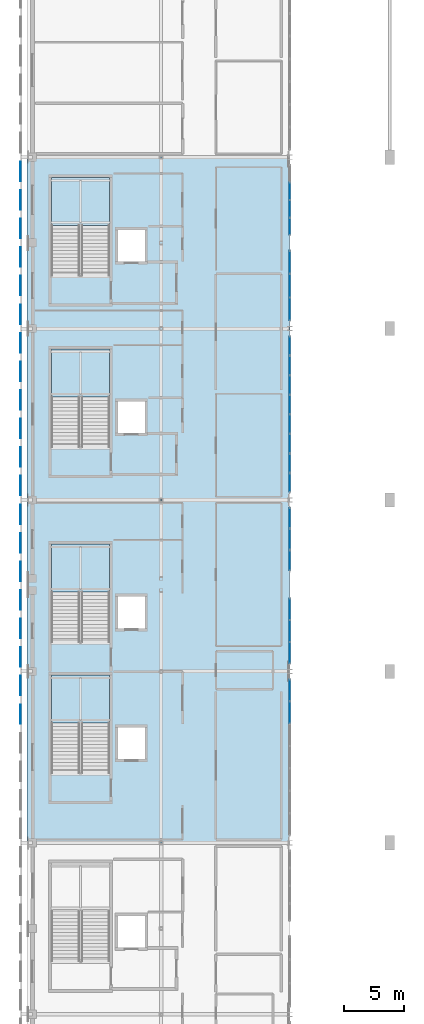
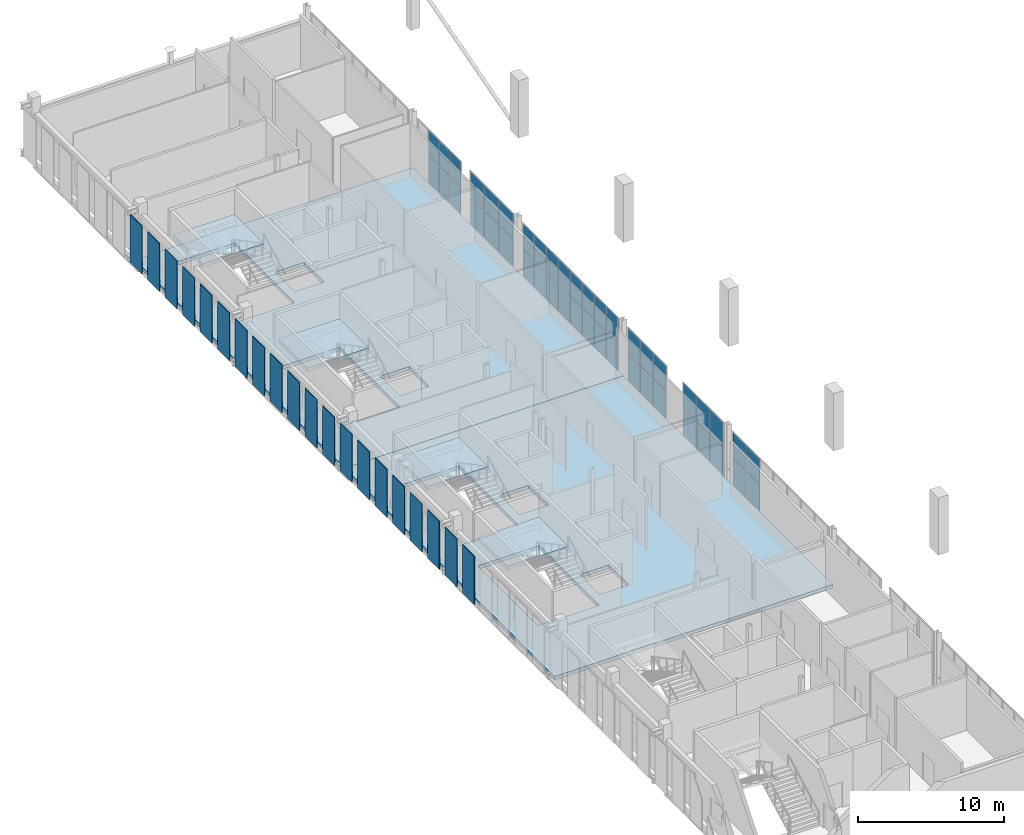
# One storey, part 26 of 51: 64 plates, 6 slabs, 10 elements without a shape of their own.
"""IFC4 building model written with IfcOpenShell, lengths in metres."""

import ifcopenshell
import ifcopenshell.guid

model = None  # the IFC model being written
_history = None  # IfcOwnerHistory: only IFC2X3 demands one
_inside = {}  # id of a spatial element -> (the spatial element, [elements in it])
_under = {}  # id of a project, library or spatial element -> (it, [spatial elements below it])
_declared = {}  # id of a project -> (the project, [libraries it declares])
_typed = {}  # id of a type object -> (the type object, [elements of that type])
_made_of = {}  # id of a material, layer set ... -> (it, [elements and type objects made of it])


def new_model(schema):
    """Start an empty IFC model of exactly this schema.

    Asked for "IFC4X3", IfcOpenShell would pick the latest addendum, in which some entities
    have other attributes; the version numbers below select the first issue.
    IFC2X3 requires an IfcOwnerHistory on every rooted entity: one is made here for all.
    """
    global model, _history
    if schema == "IFC4X3":
        model = ifcopenshell.file(schema_version=(4, 3, 0, 0))
    else:
        model = ifcopenshell.file(schema=schema)
    _inside.clear()
    _under.clear()
    _declared.clear()
    _typed.clear()
    _made_of.clear()
    _history = None
    if model.schema == "IFC2X3":
        org = make("IfcOrganization", Name="unknown")
        user = make(
            "IfcPersonAndOrganization",
            ThePerson=make("IfcPerson", FamilyName="unknown"),
            TheOrganization=org,
        )
        app = make(
            "IfcApplication",
            ApplicationDeveloper=org,
            Version="unknown",
            ApplicationFullName="unknown",
            ApplicationIdentifier="unknown",
        )
        _history = make(
            "IfcOwnerHistory",
            OwningUser=user,
            OwningApplication=app,
            ChangeAction="ADDED",
            CreationDate=0,
        )
    return model


def make(cls, **values):
    """One entity of the class cls with the attributes given. An attribute that is None is left unset."""
    return model.create_entity(
        cls, **{name: value for name, value in values.items() if value is not None}
    )


def rooted(cls, **values):
    """An entity with a GlobalId (a new one), such as an element, a storey or a relation."""
    return make(cls, GlobalId=ifcopenshell.guid.new(), OwnerHistory=_history, **values)


def si_unit(unit_type, name, prefix=None):
    """IfcSIUnit, for example si_unit("LENGTHUNIT", "METRE", prefix="MILLI")."""
    return make("IfcSIUnit", UnitType=unit_type, Prefix=prefix, Name=name)


def assignment(units):
    """IfcUnitAssignment: the units of a project."""
    return None if units is None else make("IfcUnitAssignment", Units=units)


def point(xyz):
    """IfcCartesianPoint."""
    return None if xyz is None else make("IfcCartesianPoint", Coordinates=xyz)


def direction(xyz):
    """IfcDirection."""
    return None if xyz is None else make("IfcDirection", DirectionRatios=xyz)


def frame(location, z_axis=None, x_axis=None):
    """IfcAxis2Placement3D, a coordinate frame: its origin and axes. An axis left out is left unset."""
    return make(
        "IfcAxis2Placement3D",
        Location=point(location),
        Axis=direction(z_axis),
        RefDirection=direction(x_axis),
    )


def frame_2d(location, x_axis=None):
    """IfcAxis2Placement2D, a coordinate frame in the plane: its origin and x axis."""
    return make(
        "IfcAxis2Placement2D", Location=point(location), RefDirection=direction(x_axis)
    )


def origin():
    """The frame at (0, 0, 0) with its axes left unset."""
    return frame((0.0, 0.0, 0.0))


def origin_2d():
    """The frame at (0, 0) in the plane with its x axis left unset."""
    return frame_2d((0.0, 0.0))


def place(relative_to, where):
    """IfcLocalPlacement: puts the frame where relative to a parent placement (None: the world)."""
    return make(
        "IfcLocalPlacement", PlacementRelTo=relative_to, RelativePlacement=where
    )


def context(
    kind, dimensions, precision=None, world=None, true_north=None, identifier=None
):
    """IfcGeometricRepresentationContext, for example the 3D "Model" context."""
    return make(
        "IfcGeometricRepresentationContext",
        ContextIdentifier=identifier,
        ContextType=kind,
        CoordinateSpaceDimension=dimensions,
        Precision=precision,
        WorldCoordinateSystem=world,
        TrueNorth=true_north,
    )


def subcontext(parent, identifier, kind, view, scale=None):
    """IfcGeometricRepresentationSubContext, for example "Body" below "Model"."""
    return make(
        "IfcGeometricRepresentationSubContext",
        ContextIdentifier=identifier,
        ContextType=kind,
        ParentContext=parent,
        TargetScale=scale,
        TargetView=view,
    )


def project(units=None, contexts=None):
    """IfcProject with its units and contexts."""
    return rooted(
        "IfcProject",
        Name="project",
        RepresentationContexts=contexts,
        UnitsInContext=assignment(units),
    )


def spatial(cls, under=None, at=None, **own):
    """A site, building, storey or space (cls), placed at a placement, below another one or the project."""
    s = rooted(cls, ObjectPlacement=at, **own)
    if under is not None:
        _under.setdefault(under.id(), (under, []))[1].append(s)
    return s


def polyline(points):
    """IfcPolyline through the points."""
    return make("IfcPolyline", Points=[point(p) for p in points])


def profile(cls, at=None, kind="AREA", **sizes):
    """A parametric profile (cls). Its sizes go by their IFC names, for example OverallWidth=200.0."""
    return make(cls, ProfileType=kind, Position=at, **sizes)


def rectangle(**sizes):
    """IfcRectangleProfileDef."""
    return profile("IfcRectangleProfileDef", **sizes)


def outline(outer, holes=None, kind="AREA"):
    """IfcArbitraryClosedProfileDef: a profile drawn as a closed curve; with holes, ...WithVoids."""
    if holes is None:
        return make("IfcArbitraryClosedProfileDef", ProfileType=kind, OuterCurve=outer)
    return make(
        "IfcArbitraryProfileDefWithVoids",
        ProfileType=kind,
        OuterCurve=outer,
        InnerCurves=holes,
    )


def extrude(swept, where, along, depth):
    """IfcExtrudedAreaSolid: the profile swept, set in the frame where, extruded along a direction by depth."""
    return make(
        "IfcExtrudedAreaSolid",
        SweptArea=swept,
        Position=where,
        ExtrudedDirection=direction(along),
        Depth=depth,
    )


def shape(context_of_items, identifier, shape_type, items):
    """IfcShapeRepresentation: the items that make up one representation, for example the "Body"."""
    return make(
        "IfcShapeRepresentation",
        ContextOfItems=context_of_items,
        RepresentationIdentifier=identifier,
        RepresentationType=shape_type,
        Items=items,
    )


def material(Name=None, Category=None):
    """IfcMaterial."""
    return make("IfcMaterial", Name=Name, Category=Category)


def layer(
    of_material, thickness, ventilated=None, Name=None, Category=None, Priority=None
):
    """IfcMaterialLayer: one layer of a wall or slab, of a material (None: an air gap)."""
    return make(
        "IfcMaterialLayer",
        Material=of_material,
        LayerThickness=thickness,
        IsVentilated=ventilated,
        Name=Name,
        Category=Category,
        Priority=Priority,
    )


def layer_set(layers, Name=None):
    """IfcMaterialLayerSet."""
    return make("IfcMaterialLayerSet", MaterialLayers=layers, LayerSetName=Name)


def made_of(thing, what):
    """Note that an element or type object is made of a material, layer set ...; save() writes the relation."""
    if what is not None:
        _made_of.setdefault(what.id(), (what, []))[1].append(thing)
    return thing


def type_object(cls, material=None, **own):
    """A type object (cls), such as IfcWallType, which elements share."""
    return made_of(rooted(cls, **own), material)


def element(
    cls,
    number,
    at=None,
    inside=None,
    cuts=None,
    type_object=None,
    material=None,
    context=None,
    identifier="Body",
    shape_type=None,
    held_by="IfcProductDefinitionShape",
    body=None,
    shapes=None,
    **own,
):
    """One element of the class cls, such as IfcWall. Its Tag is "e" and its number.

    at: its placement. inside: the storey or other place that contains it. cuts: it is an
    opening in that element (IfcRelVoidsElement). A single representation is given by context,
    identifier, shape_type and body (its items); several are given by shapes. held_by: the class
    of the entity that holds the representations. save() writes the other relations.
    """
    e = rooted(cls, Tag="e%d" % number, ObjectPlacement=at, **own)
    if body is not None:
        shapes = [shape(context, identifier, shape_type, body)]
    if shapes is not None:
        e.Representation = make(held_by, Representations=shapes)
    if inside is not None:
        _inside.setdefault(inside.id(), (inside, []))[1].append(e)
    if cuts is not None:
        rooted(
            "IfcRelVoidsElement", RelatingBuildingElement=cuts, RelatedOpeningElement=e
        )
    if type_object is not None:
        _typed.setdefault(type_object.id(), (type_object, []))[1].append(e)
    return made_of(e, material)


def aggregate(whole, parts):
    """IfcRelAggregates: a whole, such as a stair, and the parts it consists of."""
    return rooted("IfcRelAggregates", RelatingObject=whole, RelatedObjects=parts)


def save(model, path):
    """Write the relations noted so far, then the file.

    IfcRelAggregates (storeys below a building ...), IfcRelContainedInSpatialStructure (elements
    in a storey), IfcRelDefinesByType, IfcRelAssociatesMaterial and IfcRelDeclares: one each for
    every whole, place, type object, material and project.
    """
    for whole, parts in _under.values():
        aggregate(whole, parts)
    for where, things in _inside.values():
        rooted(
            "IfcRelContainedInSpatialStructure",
            RelatedElements=things,
            RelatingStructure=where,
        )
    for kind, things in _typed.values():
        rooted("IfcRelDefinesByType", RelatedObjects=things, RelatingType=kind)
    for what, things in _made_of.values():
        rooted("IfcRelAssociatesMaterial", RelatedObjects=things, RelatingMaterial=what)
    for by, libraries in _declared.values():
        rooted("IfcRelDeclares", RelatingContext=by, RelatedDefinitions=libraries)
    model.write(path)


model = new_model("IFC4")

# Units and contexts
model_context = context("Model", 3, precision=1e-05, world=origin(), true_north=direction((0.0, 1.0)))
body_context = subcontext(model_context, "Body", "Model", "MODEL_VIEW")
ifc_project = project(units=[si_unit("LENGTHUNIT", "METRE"), si_unit("AREAUNIT", "SQUARE_METRE"), si_unit("VOLUMEUNIT", "CUBIC_METRE"), si_unit("PLANEANGLEUNIT", "RADIAN"), si_unit("MASSUNIT", "GRAM", prefix="KILO")], contexts=[model_context])

# Site, building, storey
site_placement = place(None, origin())
site = spatial("IfcSite", under=ifc_project, at=site_placement, CompositionType="ELEMENT")
building_placement = place(site_placement, origin())
building = spatial("IfcBuilding", under=site, at=building_placement, Name="Koshinbarg Plaza Stadium", CompositionType="ELEMENT")
storey_placement = place(building_placement, frame((0.0, 0.0, 24.60009765625)))
storey = spatial("IfcBuildingStorey", under=building, at=storey_placement, Name="L05", CompositionType="ELEMENT", Elevation=24.60009765625)

# Curtain wall, plates
ifc_material_1 = material(Name="Thermally broken anodised aluminium and low-E double glazing", Category="aluminium")
curtain_wall_type_1 = type_object("IfcCurtainWallType", Name="CW-SYS-05", PredefinedType="NOTDEFINED", material=ifc_material_1)
curtain_wall_1_placement = place(storey_placement, origin())
curtain_wall_1 = element("IfcCurtainWall", 1, at=curtain_wall_1_placement, inside=storey, type_object=curtain_wall_type_1, Name="L05 unitised curtain wall CW-L05-132", PredefinedType="NOTDEFINED")
ifc_material_2 = material(Name="Solar-control low-E double glazing unit", Category="glass")
ifc_layer_1 = layer(ifc_material_2, 0.028076171875)
ifc_layer_set_1 = layer_set([ifc_layer_1], Name="Solar-control low-E double glazing unit")
plate_type_1 = type_object("IfcPlateType", Name="CW-PNL-28", PredefinedType="CURTAIN_PANEL", material=ifc_layer_set_1)
plate_1_placement = place(storey_placement, frame((46.199951171875, 109.044921875, 0.06005859375), z_axis=(0.0, 0.0, 1.0), x_axis=(0.0, -1.0, 0.0)))
plate_1 = element("IfcPlate", 2, at=plate_1_placement, type_object=plate_type_1, Name="CW05 panel 2.1", PredefinedType="CURTAIN_PANEL", context=body_context, shape_type="SweptSolid", body=[
    extrude(rectangle(XDim=1.429931640625, YDim=0.028076171875, at=origin_2d()), origin(), (0.0, 0.0, 1.0), 2.239501953125),
])
plate_2_placement = place(storey_placement, frame((46.199951171875, 109.044921875, 2.359375), z_axis=(0.0, 0.0, 1.0), x_axis=(0.0, -1.0, 0.0)))
plate_2 = element("IfcPlate", 3, at=plate_2_placement, type_object=plate_type_1, Name="CW05 panel 2.2", PredefinedType="CURTAIN_PANEL", context=body_context, shape_type="SweptSolid", body=[
    extrude(rectangle(XDim=1.429931640625, YDim=0.028076171875, at=origin_2d()), origin(), (0.0, 0.0, 1.0), 2.060302734375),
])
plate_3_placement = place(storey_placement, frame((46.199951171875, 107.554931640625, 0.06005859375), z_axis=(0.0, 0.0, 1.0), x_axis=(0.0, -1.0, 0.0)))
plate_3 = element("IfcPlate", 4, at=plate_3_placement, type_object=plate_type_1, Name="CW05 panel 3.1", PredefinedType="CURTAIN_PANEL", context=body_context, shape_type="SweptSolid", body=[
    extrude(rectangle(XDim=1.429931640625, YDim=0.028076171875, at=origin_2d()), origin(), (0.0, 0.0, 1.0), 2.239501953125),
])
plate_4_placement = place(storey_placement, frame((46.199951171875, 107.554931640625, 2.359375), z_axis=(0.0, 0.0, 1.0), x_axis=(0.0, -1.0, 0.0)))
plate_4 = element("IfcPlate", 5, at=plate_4_placement, type_object=plate_type_1, Name="CW05 panel 3.2", PredefinedType="CURTAIN_PANEL", context=body_context, shape_type="SweptSolid", body=[
    extrude(rectangle(XDim=1.429931640625, YDim=0.028076171875, at=origin_2d()), origin(), (0.0, 0.0, 1.0), 2.060302734375),
])
plate_5_placement = place(storey_placement, frame((46.199951171875, 106.080078125, 0.06005859375), z_axis=(0.0, 0.0, 1.0), x_axis=(0.0, -1.0, 0.0)))
plate_5 = element("IfcPlate", 6, at=plate_5_placement, type_object=plate_type_1, Name="CW05 panel 4.1", PredefinedType="CURTAIN_PANEL", context=body_context, shape_type="SweptSolid", body=[
    extrude(rectangle(XDim=1.39990234375, YDim=0.028076171875, at=origin_2d()), origin(), (0.0, 0.0, 1.0), 2.239501953125),
])
plate_6_placement = place(storey_placement, frame((46.199951171875, 106.080078125, 2.359375), z_axis=(0.0, 0.0, 1.0), x_axis=(0.0, -1.0, 0.0)))
plate_6 = element("IfcPlate", 7, at=plate_6_placement, type_object=plate_type_1, Name="CW05 panel 4.2", PredefinedType="CURTAIN_PANEL", context=body_context, shape_type="SweptSolid", body=[
    extrude(rectangle(XDim=1.39990234375, YDim=0.028076171875, at=origin_2d()), origin(), (0.0, 0.0, 1.0), 2.060302734375),
])
aggregate(curtain_wall_1, [plate_1, plate_2, plate_3, plate_4, plate_5, plate_6])

curtain_wall_type_2 = type_object("IfcCurtainWallType", Name="CW-SYS-07", PredefinedType="NOTDEFINED", material=ifc_material_1)
curtain_wall_2_placement = place(storey_placement, origin())
curtain_wall_2 = element("IfcCurtainWall", 8, at=curtain_wall_2_placement, inside=storey, type_object=curtain_wall_type_2, Name="L05 unitised curtain wall CW-L05-134", PredefinedType="NOTDEFINED")
plate_7_placement = place(storey_placement, frame((46.199951171875, 96.04248046875, 0.06005859375), z_axis=(0.0, 0.0, 1.0), x_axis=(0.0, -1.0, 0.0)))
plate_7 = element("IfcPlate", 9, at=plate_7_placement, type_object=plate_type_1, Name="CW07 panel 1.1", PredefinedType="CURTAIN_PANEL", context=body_context, shape_type="SweptSolid", body=[
    extrude(rectangle(XDim=1.554931640625, YDim=0.028076171875, at=origin_2d()), origin(), (0.0, 0.0, 1.0), 2.239501953125),
])
plate_8_placement = place(storey_placement, frame((46.199951171875, 96.04248046875, 2.359375), z_axis=(0.0, 0.0, 1.0), x_axis=(0.0, -1.0, 0.0)))
plate_8 = element("IfcPlate", 10, at=plate_8_placement, type_object=plate_type_1, Name="CW07 panel 1.2", PredefinedType="CURTAIN_PANEL", context=body_context, shape_type="SweptSolid", body=[
    extrude(rectangle(XDim=1.554931640625, YDim=0.028076171875, at=origin_2d()), origin(), (0.0, 0.0, 1.0), 2.060302734375),
])
plate_9_placement = place(storey_placement, frame((46.199951171875, 94.41259765625, 0.06005859375), z_axis=(0.0, 0.0, 1.0), x_axis=(0.0, -1.0, 0.0)))
plate_9 = element("IfcPlate", 11, at=plate_9_placement, type_object=plate_type_1, Name="CW07 panel 2.1", PredefinedType="CURTAIN_PANEL", context=body_context, shape_type="SweptSolid", body=[
    extrude(rectangle(XDim=1.5849609375, YDim=0.028076171875, at=origin_2d()), origin(), (0.0, 0.0, 1.0), 2.239501953125),
])
plate_10_placement = place(storey_placement, frame((46.199951171875, 94.41259765625, 2.359375), z_axis=(0.0, 0.0, 1.0), x_axis=(0.0, -1.0, 0.0)))
plate_10 = element("IfcPlate", 12, at=plate_10_placement, type_object=plate_type_1, Name="CW07 panel 2.2", PredefinedType="CURTAIN_PANEL", context=body_context, shape_type="SweptSolid", body=[
    extrude(rectangle(XDim=1.5849609375, YDim=0.028076171875, at=origin_2d()), origin(), (0.0, 0.0, 1.0), 2.060302734375),
])
plate_11_placement = place(storey_placement, frame((46.199951171875, 92.767578125, 0.06005859375), z_axis=(0.0, 0.0, 1.0), x_axis=(0.0, -1.0, 0.0)))
plate_11 = element("IfcPlate", 13, at=plate_11_placement, type_object=plate_type_1, Name="CW07 panel 3.1", PredefinedType="CURTAIN_PANEL", context=body_context, shape_type="SweptSolid", body=[
    extrude(rectangle(XDim=1.5849609375, YDim=0.028076171875, at=origin_2d()), origin(), (0.0, 0.0, 1.0), 2.239501953125),
])
plate_12_placement = place(storey_placement, frame((46.199951171875, 92.767578125, 2.359375), z_axis=(0.0, 0.0, 1.0), x_axis=(0.0, -1.0, 0.0)))
plate_12 = element("IfcPlate", 14, at=plate_12_placement, type_object=plate_type_1, Name="CW07 panel 3.2", PredefinedType="CURTAIN_PANEL", context=body_context, shape_type="SweptSolid", body=[
    extrude(rectangle(XDim=1.5849609375, YDim=0.028076171875, at=origin_2d()), origin(), (0.0, 0.0, 1.0), 2.060302734375),
])
plate_13_placement = place(storey_placement, frame((46.199951171875, 91.12255859375, 0.06005859375), z_axis=(0.0, 0.0, 1.0), x_axis=(0.0, -1.0, 0.0)))
plate_13 = element("IfcPlate", 15, at=plate_13_placement, type_object=plate_type_1, Name="CW07 panel 4.1", PredefinedType="CURTAIN_PANEL", context=body_context, shape_type="SweptSolid", body=[
    extrude(rectangle(XDim=1.5849609375, YDim=0.028076171875, at=origin_2d()), origin(), (0.0, 0.0, 1.0), 2.239501953125),
])
plate_14_placement = place(storey_placement, frame((46.199951171875, 91.12255859375, 2.359375), z_axis=(0.0, 0.0, 1.0), x_axis=(0.0, -1.0, 0.0)))
plate_14 = element("IfcPlate", 16, at=plate_14_placement, type_object=plate_type_1, Name="CW07 panel 4.2", PredefinedType="CURTAIN_PANEL", context=body_context, shape_type="SweptSolid", body=[
    extrude(rectangle(XDim=1.5849609375, YDim=0.028076171875, at=origin_2d()), origin(), (0.0, 0.0, 1.0), 2.060302734375),
])
plate_15_placement = place(storey_placement, frame((46.199951171875, 89.4775390625, 0.06005859375), z_axis=(0.0, 0.0, 1.0), x_axis=(0.0, -1.0, 0.0)))
plate_15 = element("IfcPlate", 17, at=plate_15_placement, type_object=plate_type_1, Name="CW07 panel 5.1", PredefinedType="CURTAIN_PANEL", context=body_context, shape_type="SweptSolid", body=[
    extrude(rectangle(XDim=1.5849609375, YDim=0.028076171875, at=origin_2d()), origin(), (0.0, 0.0, 1.0), 2.239501953125),
])
plate_16_placement = place(storey_placement, frame((46.199951171875, 89.4775390625, 2.359375), z_axis=(0.0, 0.0, 1.0), x_axis=(0.0, -1.0, 0.0)))
plate_16 = element("IfcPlate", 18, at=plate_16_placement, type_object=plate_type_1, Name="CW07 panel 5.2", PredefinedType="CURTAIN_PANEL", context=body_context, shape_type="SweptSolid", body=[
    extrude(rectangle(XDim=1.5849609375, YDim=0.028076171875, at=origin_2d()), origin(), (0.0, 0.0, 1.0), 2.060302734375),
])
plate_17_placement = place(storey_placement, frame((46.199951171875, 87.83251953125, 0.06005859375), z_axis=(0.0, 0.0, 1.0), x_axis=(0.0, -1.0, 0.0)))
plate_17 = element("IfcPlate", 19, at=plate_17_placement, type_object=plate_type_1, Name="CW07 panel 6.1", PredefinedType="CURTAIN_PANEL", context=body_context, shape_type="SweptSolid", body=[
    extrude(rectangle(XDim=1.5849609375, YDim=0.028076171875, at=origin_2d()), origin(), (0.0, 0.0, 1.0), 2.239501953125),
])
plate_18_placement = place(storey_placement, frame((46.199951171875, 87.83251953125, 2.359375), z_axis=(0.0, 0.0, 1.0), x_axis=(0.0, -1.0, 0.0)))
plate_18 = element("IfcPlate", 20, at=plate_18_placement, type_object=plate_type_1, Name="CW07 panel 6.2", PredefinedType="CURTAIN_PANEL", context=body_context, shape_type="SweptSolid", body=[
    extrude(rectangle(XDim=1.5849609375, YDim=0.028076171875, at=origin_2d()), origin(), (0.0, 0.0, 1.0), 2.060302734375),
])
plate_19_placement = place(storey_placement, frame((46.199951171875, 86.1875, 0.06005859375), z_axis=(0.0, 0.0, 1.0), x_axis=(0.0, -1.0, 0.0)))
plate_19 = element("IfcPlate", 21, at=plate_19_placement, type_object=plate_type_1, Name="CW07 panel 7.1", PredefinedType="CURTAIN_PANEL", context=body_context, shape_type="SweptSolid", body=[
    extrude(rectangle(XDim=1.5849609375, YDim=0.028076171875, at=origin_2d()), origin(), (0.0, 0.0, 1.0), 2.239501953125),
])
plate_20_placement = place(storey_placement, frame((46.199951171875, 86.1875, 2.359375), z_axis=(0.0, 0.0, 1.0), x_axis=(0.0, -1.0, 0.0)))
plate_20 = element("IfcPlate", 22, at=plate_20_placement, type_object=plate_type_1, Name="CW07 panel 7.2", PredefinedType="CURTAIN_PANEL", context=body_context, shape_type="SweptSolid", body=[
    extrude(rectangle(XDim=1.5849609375, YDim=0.028076171875, at=origin_2d()), origin(), (0.0, 0.0, 1.0), 2.060302734375),
])
plate_21_placement = place(storey_placement, frame((46.199951171875, 84.5576171875, 0.06005859375), z_axis=(0.0, 0.0, 1.0), x_axis=(0.0, -1.0, 0.0)))
plate_21 = element("IfcPlate", 23, at=plate_21_placement, type_object=plate_type_1, Name="CW07 panel 8.1", PredefinedType="CURTAIN_PANEL", context=body_context, shape_type="SweptSolid", body=[
    extrude(rectangle(XDim=1.554931640625, YDim=0.028076171875, at=origin_2d()), origin(), (0.0, 0.0, 1.0), 2.239501953125),
])
plate_22_placement = place(storey_placement, frame((46.199951171875, 84.5576171875, 2.359375), z_axis=(0.0, 0.0, 1.0), x_axis=(0.0, -1.0, 0.0)))
plate_22 = element("IfcPlate", 24, at=plate_22_placement, type_object=plate_type_1, Name="CW07 panel 8.2", PredefinedType="CURTAIN_PANEL", context=body_context, shape_type="SweptSolid", body=[
    extrude(rectangle(XDim=1.554931640625, YDim=0.028076171875, at=origin_2d()), origin(), (0.0, 0.0, 1.0), 2.060302734375),
])
aggregate(curtain_wall_2, [plate_7, plate_8, plate_9, plate_10, plate_11, plate_12, plate_13, plate_14, plate_15, plate_16, plate_17, plate_18, plate_19, plate_20, plate_21, plate_22])

curtain_wall_type_3 = type_object("IfcCurtainWallType", Name="CW-SYS-09", PredefinedType="NOTDEFINED", material=ifc_material_1)
curtain_wall_3_placement = place(storey_placement, origin())
curtain_wall_3 = element("IfcCurtainWall", 25, at=curtain_wall_3_placement, inside=storey, type_object=curtain_wall_type_3, Name="L05 unitised curtain wall CW-L05-136", PredefinedType="NOTDEFINED")
plate_23_placement = place(storey_placement, frame((46.199951171875, 73.938232421875, 0.06005859375), z_axis=(0.0, 0.0, 1.0), x_axis=(0.0, -1.0, 0.0)))
plate_23 = element("IfcPlate", 26, at=plate_23_placement, type_object=plate_type_1, Name="CW09 panel 1.1", PredefinedType="CURTAIN_PANEL", context=body_context, shape_type="SweptSolid", body=[
    extrude(rectangle(XDim=1.763427734375, YDim=0.028076171875, at=origin_2d()), origin(), (0.0, 0.0, 1.0), 2.239501953125),
])
plate_24_placement = place(storey_placement, frame((46.199951171875, 73.938232421875, 2.359375), z_axis=(0.0, 0.0, 1.0), x_axis=(0.0, -1.0, 0.0)))
plate_24 = element("IfcPlate", 27, at=plate_24_placement, type_object=plate_type_1, Name="CW09 panel 1.2", PredefinedType="CURTAIN_PANEL", context=body_context, shape_type="SweptSolid", body=[
    extrude(rectangle(XDim=1.763427734375, YDim=0.028076171875, at=origin_2d()), origin(), (0.0, 0.0, 1.0), 2.060302734375),
])
plate_25_placement = place(storey_placement, frame((46.199951171875, 72.10009765625, 0.06005859375), z_axis=(0.0, 0.0, 1.0), x_axis=(0.0, -1.0, 0.0)))
plate_25 = element("IfcPlate", 28, at=plate_25_placement, type_object=plate_type_1, Name="CW09 panel 2.1", PredefinedType="CURTAIN_PANEL", context=body_context, shape_type="SweptSolid", body=[
    extrude(rectangle(XDim=1.793212890625, YDim=0.028076171875, at=origin_2d()), origin(), (0.0, 0.0, 1.0), 2.239501953125),
])
plate_26_placement = place(storey_placement, frame((46.199951171875, 72.10009765625, 2.359375), z_axis=(0.0, 0.0, 1.0), x_axis=(0.0, -1.0, 0.0)))
plate_26 = element("IfcPlate", 29, at=plate_26_placement, type_object=plate_type_1, Name="CW09 panel 2.2", PredefinedType="CURTAIN_PANEL", context=body_context, shape_type="SweptSolid", body=[
    extrude(rectangle(XDim=1.793212890625, YDim=0.028076171875, at=origin_2d()), origin(), (0.0, 0.0, 1.0), 2.060302734375),
])
plate_27_placement = place(storey_placement, frame((46.199951171875, 70.26171875, 0.06005859375), z_axis=(0.0, 0.0, 1.0), x_axis=(0.0, -1.0, 0.0)))
plate_27 = element("IfcPlate", 30, at=plate_27_placement, type_object=plate_type_1, Name="CW09 panel 3.1", PredefinedType="CURTAIN_PANEL", context=body_context, shape_type="SweptSolid", body=[
    extrude(rectangle(XDim=1.763427734375, YDim=0.028076171875, at=origin_2d()), origin(), (0.0, 0.0, 1.0), 2.239501953125),
])
plate_28_placement = place(storey_placement, frame((46.199951171875, 70.26171875, 2.359375), z_axis=(0.0, 0.0, 1.0), x_axis=(0.0, -1.0, 0.0)))
plate_28 = element("IfcPlate", 31, at=plate_28_placement, type_object=plate_type_1, Name="CW09 panel 3.2", PredefinedType="CURTAIN_PANEL", context=body_context, shape_type="SweptSolid", body=[
    extrude(rectangle(XDim=1.763427734375, YDim=0.028076171875, at=origin_2d()), origin(), (0.0, 0.0, 1.0), 2.060302734375),
])
aggregate(curtain_wall_3, [plate_23, plate_24, plate_25, plate_26, plate_27, plate_28])

curtain_wall_type_4 = type_object("IfcCurtainWallType", Name="CW-SYS-06", PredefinedType="NOTDEFINED", material=ifc_material_1)
curtain_wall_4_placement = place(storey_placement, origin())
curtain_wall_4 = element("IfcCurtainWall", 32, at=curtain_wall_4_placement, inside=storey, type_object=curtain_wall_type_4, Name="L05 unitised curtain wall CW-L05-133", PredefinedType="NOTDEFINED")
ifc_material_3 = material(Name="Acoustic solar-control double glazing unit", Category="glass")
ifc_layer_2 = layer(ifc_material_3, 0.031982421875)
ifc_layer_set_2 = layer_set([ifc_layer_2], Name="Acoustic solar-control double glazing unit")
plate_type_2 = type_object("IfcPlateType", Name="CW-PNL-32", PredefinedType="CURTAIN_PANEL", material=ifc_layer_set_2)
plate_29_placement = place(storey_placement, frame((46.199951171875, 103.07177734375, 0.06005859375), z_axis=(0.0, 0.0, 1.0), x_axis=(0.0, -1.0, 0.0)))
plate_29 = element("IfcPlate", 33, at=plate_29_placement, type_object=plate_type_2, Name="CW06 panel 1.1", PredefinedType="CURTAIN_PANEL", context=body_context, shape_type="SweptSolid", body=[
    extrude(rectangle(XDim=1.896728515625, YDim=0.031982421875, at=origin_2d()), origin(), (0.0, 0.0, 1.0), 2.239501953125),
])
plate_30_placement = place(storey_placement, frame((46.199951171875, 103.07177734375, 2.359375), z_axis=(0.0, 0.0, 1.0), x_axis=(0.0, -1.0, 0.0)))
plate_30 = element("IfcPlate", 34, at=plate_30_placement, type_object=plate_type_2, Name="CW06 panel 1.2", PredefinedType="CURTAIN_PANEL", context=body_context, shape_type="SweptSolid", body=[
    extrude(rectangle(XDim=1.896728515625, YDim=0.031982421875, at=origin_2d()), origin(), (0.0, 0.0, 1.0), 2.060302734375),
])
plate_31_placement = place(storey_placement, frame((46.199951171875, 101.10009765625, 0.06005859375), z_axis=(0.0, 0.0, 1.0), x_axis=(0.0, -1.0, 0.0)))
plate_31 = element("IfcPlate", 35, at=plate_31_placement, type_object=plate_type_2, Name="CW06 panel 2.1", PredefinedType="CURTAIN_PANEL", context=body_context, shape_type="SweptSolid", body=[
    extrude(rectangle(XDim=1.9267578125, YDim=0.031982421875, at=origin_2d()), origin(), (0.0, 0.0, 1.0), 2.239501953125),
])
plate_32_placement = place(storey_placement, frame((46.199951171875, 101.10009765625, 2.359375), z_axis=(0.0, 0.0, 1.0), x_axis=(0.0, -1.0, 0.0)))
plate_32 = element("IfcPlate", 36, at=plate_32_placement, type_object=plate_type_2, Name="CW06 panel 2.2", PredefinedType="CURTAIN_PANEL", context=body_context, shape_type="SweptSolid", body=[
    extrude(rectangle(XDim=1.9267578125, YDim=0.031982421875, at=origin_2d()), origin(), (0.0, 0.0, 1.0), 2.060302734375),
])
plate_33_placement = place(storey_placement, frame((46.199951171875, 99.12841796875, 0.06005859375), z_axis=(0.0, 0.0, 1.0), x_axis=(0.0, -1.0, 0.0)))
plate_33 = element("IfcPlate", 37, at=plate_33_placement, type_object=plate_type_2, Name="CW06 panel 3.1", PredefinedType="CURTAIN_PANEL", context=body_context, shape_type="SweptSolid", body=[
    extrude(rectangle(XDim=1.896728515625, YDim=0.031982421875, at=origin_2d()), origin(), (0.0, 0.0, 1.0), 2.239501953125),
])
plate_34_placement = place(storey_placement, frame((46.199951171875, 99.12841796875, 2.359375), z_axis=(0.0, 0.0, 1.0), x_axis=(0.0, -1.0, 0.0)))
plate_34 = element("IfcPlate", 38, at=plate_34_placement, type_object=plate_type_2, Name="CW06 panel 3.2", PredefinedType="CURTAIN_PANEL", context=body_context, shape_type="SweptSolid", body=[
    extrude(rectangle(XDim=1.896728515625, YDim=0.031982421875, at=origin_2d()), origin(), (0.0, 0.0, 1.0), 2.060302734375),
])
aggregate(curtain_wall_4, [plate_29, plate_30, plate_31, plate_32, plate_33, plate_34])

curtain_wall_type_5 = type_object("IfcCurtainWallType", Name="CW-SYS-08", PredefinedType="NOTDEFINED", material=ifc_material_1)
curtain_wall_5_placement = place(storey_placement, origin())
curtain_wall_5 = element("IfcCurtainWall", 39, at=curtain_wall_5_placement, inside=storey, type_object=curtain_wall_type_5, Name="L05 unitised curtain wall CW-L05-135", PredefinedType="NOTDEFINED")
plate_35_placement = place(storey_placement, frame((46.199951171875, 81.57177734375, 0.06005859375), z_axis=(0.0, 0.0, 1.0), x_axis=(0.0, -1.0, 0.0)))
plate_35 = element("IfcPlate", 40, at=plate_35_placement, type_object=plate_type_2, Name="CW08 panel 1.1", PredefinedType="CURTAIN_PANEL", context=body_context, shape_type="SweptSolid", body=[
    extrude(rectangle(XDim=1.69677734375, YDim=0.031982421875, at=origin_2d()), origin(), (0.0, 0.0, 1.0), 2.239501953125),
])
plate_36_placement = place(storey_placement, frame((46.199951171875, 81.57177734375, 2.359375), z_axis=(0.0, 0.0, 1.0), x_axis=(0.0, -1.0, 0.0)))
plate_36 = element("IfcPlate", 41, at=plate_36_placement, type_object=plate_type_2, Name="CW08 panel 1.2", PredefinedType="CURTAIN_PANEL", context=body_context, shape_type="SweptSolid", body=[
    extrude(rectangle(XDim=1.69677734375, YDim=0.031982421875, at=origin_2d()), origin(), (0.0, 0.0, 1.0), 2.060302734375),
])
plate_37_placement = place(storey_placement, frame((46.199951171875, 79.800048828125, 0.06005859375), z_axis=(0.0, 0.0, 1.0), x_axis=(0.0, -1.0, 0.0)))
plate_37 = element("IfcPlate", 42, at=plate_37_placement, type_object=plate_type_2, Name="CW08 panel 2.1", PredefinedType="CURTAIN_PANEL", context=body_context, shape_type="SweptSolid", body=[
    extrude(rectangle(XDim=1.7265625, YDim=0.031982421875, at=origin_2d()), origin(), (0.0, 0.0, 1.0), 2.239501953125),
])
plate_38_placement = place(storey_placement, frame((46.199951171875, 79.800048828125, 2.359375), z_axis=(0.0, 0.0, 1.0), x_axis=(0.0, -1.0, 0.0)))
plate_38 = element("IfcPlate", 43, at=plate_38_placement, type_object=plate_type_2, Name="CW08 panel 2.2", PredefinedType="CURTAIN_PANEL", context=body_context, shape_type="SweptSolid", body=[
    extrude(rectangle(XDim=1.7265625, YDim=0.031982421875, at=origin_2d()), origin(), (0.0, 0.0, 1.0), 2.060302734375),
])
plate_39_placement = place(storey_placement, frame((46.199951171875, 78.0283203125, 0.06005859375), z_axis=(0.0, 0.0, 1.0), x_axis=(0.0, -1.0, 0.0)))
plate_39 = element("IfcPlate", 44, at=plate_39_placement, type_object=plate_type_2, Name="CW08 panel 3.1", PredefinedType="CURTAIN_PANEL", context=body_context, shape_type="SweptSolid", body=[
    extrude(rectangle(XDim=1.69677734375, YDim=0.031982421875, at=origin_2d()), origin(), (0.0, 0.0, 1.0), 2.239501953125),
])
plate_40_placement = place(storey_placement, frame((46.199951171875, 78.0283203125, 2.359375), z_axis=(0.0, 0.0, 1.0), x_axis=(0.0, -1.0, 0.0)))
plate_40 = element("IfcPlate", 45, at=plate_40_placement, type_object=plate_type_2, Name="CW08 panel 3.2", PredefinedType="CURTAIN_PANEL", context=body_context, shape_type="SweptSolid", body=[
    extrude(rectangle(XDim=1.69677734375, YDim=0.031982421875, at=origin_2d()), origin(), (0.0, 0.0, 1.0), 2.060302734375),
])
aggregate(curtain_wall_5, [plate_35, plate_36, plate_37, plate_38, plate_39, plate_40])

curtain_wall_type_6 = type_object("IfcCurtainWallType", Name="CW-SYS-10", PredefinedType="NOTDEFINED", material=ifc_material_1)
curtain_wall_6_placement = place(storey_placement, origin())
curtain_wall_6 = element("IfcCurtainWall", 46, at=curtain_wall_6_placement, inside=storey, type_object=curtain_wall_type_6, Name="L05 unitised curtain wall CW-L05-137", PredefinedType="NOTDEFINED")
plate_41_placement = place(storey_placement, frame((46.199951171875, 67.125, 0.06005859375), z_axis=(0.0, 0.0, 1.0), x_axis=(0.0, -1.0, 0.0)))
plate_41 = element("IfcPlate", 47, at=plate_41_placement, type_object=plate_type_2, Name="CW10 panel 1.1", PredefinedType="CURTAIN_PANEL", context=body_context, shape_type="SweptSolid", body=[
    extrude(rectangle(XDim=1.7900390625, YDim=0.031982421875, at=origin_2d()), origin(), (0.0, 0.0, 1.0), 2.239501953125),
])
plate_42_placement = place(storey_placement, frame((46.199951171875, 67.125, 2.359375), z_axis=(0.0, 0.0, 1.0), x_axis=(0.0, -1.0, 0.0)))
plate_42 = element("IfcPlate", 48, at=plate_42_placement, type_object=plate_type_2, Name="CW10 panel 1.2", PredefinedType="CURTAIN_PANEL", context=body_context, shape_type="SweptSolid", body=[
    extrude(rectangle(XDim=1.7900390625, YDim=0.031982421875, at=origin_2d()), origin(), (0.0, 0.0, 1.0), 2.060302734375),
])
plate_43_placement = place(storey_placement, frame((46.199951171875, 65.260009765625, 0.06005859375), z_axis=(0.0, 0.0, 1.0), x_axis=(0.0, -1.0, 0.0)))
plate_43 = element("IfcPlate", 49, at=plate_43_placement, type_object=plate_type_2, Name="CW10 panel 2.1", PredefinedType="CURTAIN_PANEL", context=body_context, shape_type="SweptSolid", body=[
    extrude(rectangle(XDim=1.820068359375, YDim=0.031982421875, at=origin_2d()), origin(), (0.0, 0.0, 1.0), 2.239501953125),
])
plate_44_placement = place(storey_placement, frame((46.199951171875, 65.260009765625, 2.359375), z_axis=(0.0, 0.0, 1.0), x_axis=(0.0, -1.0, 0.0)))
plate_44 = element("IfcPlate", 50, at=plate_44_placement, type_object=plate_type_2, Name="CW10 panel 2.2", PredefinedType="CURTAIN_PANEL", context=body_context, shape_type="SweptSolid", body=[
    extrude(rectangle(XDim=1.820068359375, YDim=0.031982421875, at=origin_2d()), origin(), (0.0, 0.0, 1.0), 2.060302734375),
])
aggregate(curtain_wall_6, [plate_41, plate_42, plate_43, plate_44])

# Plates
ifc_material_4 = material(Name="Off-white mineral-coated perforated aluminium screen panel", Category="aluminium")
ifc_layer_3 = layer(ifc_material_4, 0.050048828125)
ifc_layer_set_3 = layer_set([ifc_layer_3], Name="Off-white mineral-coated perforated aluminium screen panel")
plate_type_3 = type_object("IfcPlateType", Name="PLT-SCR-50", PredefinedType="USERDEFINED", material=ifc_layer_set_3)
for number, where, z_axis, x_axis, name in (
    (51, (23.580078125, 67.5, 0.19970703125), (0.0, 0.0, 1.0), (1.0, 0.0, 0.0), "L05 off-white leaf-pierced outer screen panel 102"),
    (52, (23.580078125, 72.300048828125, 0.19970703125), (0.0, 0.0, 1.0), (1.0, 0.0, 0.0), "L05 off-white leaf-pierced outer screen panel 104"),
    (53, (23.580078125, 77.10009765625, 0.19970703125), (0.0, 0.0, 1.0), (1.0, 0.0, 0.0), "L05 off-white leaf-pierced outer screen panel 106"),
    (54, (23.580078125, 81.89990234375, 0.19970703125), (0.0, 0.0, 1.0), (1.0, 0.0, 0.0), "L05 off-white leaf-pierced outer screen panel 108"),
    (55, (23.580078125, 86.699951171875, 0.19970703125), (0.0, 0.0, 1.0), (1.0, 0.0, 0.0), "L05 off-white leaf-pierced outer screen panel 110"),
    (56, (23.580078125, 91.5, 0.19970703125), (0.0, 0.0, 1.0), (1.0, 0.0, 0.0), "L05 off-white leaf-pierced outer screen panel 112"),
    (57, (23.580078125, 96.300048828125, 0.19970703125), (0.0, 0.0, 1.0), (1.0, 0.0, 0.0), "L05 off-white leaf-pierced outer screen panel 114"),
    (58, (23.580078125, 101.10009765625, 0.19970703125), (0.0, 0.0, 1.0), (1.0, 0.0, 0.0), "L05 off-white leaf-pierced outer screen panel 116"),
    (59, (23.580078125, 105.89990234375, 0.19970703125), (0.0, 0.0, 1.0), (1.0, 0.0, 0.0), "L05 off-white leaf-pierced outer screen panel 118"),
    (60, (23.580078125, 110.699951171875, 0.19970703125), (0.0, 0.0, 1.0), (1.0, 0.0, 0.0), "L05 off-white leaf-pierced outer screen panel 120"),
):
    element("IfcPlate", number, at=place(storey_placement, frame(where, z_axis=z_axis, x_axis=x_axis)), inside=storey, type_object=plate_type_3, Name=name, ObjectType="SCREEN PANEL", PredefinedType="USERDEFINED", context=body_context, shape_type="SweptSolid", body=[
        extrude(rectangle(XDim=0.050048828125, YDim=1.632080078125, at=origin_2d()), origin(), (0.0, 0.0, 1.0), 4.030029296875),
    ])
ifc_material_5 = material(Name="Off-white mineral-coated leaf-aperture GRC screen panel")
ifc_layer_4 = layer(ifc_material_5, 0.06005859375)
ifc_layer_set_4 = layer_set([ifc_layer_4], Name="Off-white mineral-coated leaf-aperture GRC screen panel")
plate_type_4 = type_object("IfcPlateType", Name="PLT-SCR-60", PredefinedType="USERDEFINED", material=ifc_layer_set_4)
for number, where, z_axis, x_axis, name in (
    (61, (23.574951171875, 65.10009765625, 0.19970703125), (0.0, 0.0, 1.0), (1.0, 0.0, 0.0), "L05 off-white leaf-pierced outer screen panel 101"),
    (62, (23.574951171875, 69.89990234375, 0.19970703125), (0.0, 0.0, 1.0), (1.0, 0.0, 0.0), "L05 off-white leaf-pierced outer screen panel 103"),
    (63, (23.574951171875, 74.699951171875, 0.19970703125), (0.0, 0.0, 1.0), (1.0, 0.0, 0.0), "L05 off-white leaf-pierced outer screen panel 105"),
    (64, (23.574951171875, 79.5, 0.19970703125), (0.0, 0.0, 1.0), (1.0, 0.0, 0.0), "L05 off-white leaf-pierced outer screen panel 107"),
    (65, (23.574951171875, 84.300048828125, 0.19970703125), (0.0, 0.0, 1.0), (1.0, 0.0, 0.0), "L05 off-white leaf-pierced outer screen panel 109"),
    (66, (23.574951171875, 89.10009765625, 0.19970703125), (0.0, 0.0, 1.0), (1.0, 0.0, 0.0), "L05 off-white leaf-pierced outer screen panel 111"),
    (67, (23.574951171875, 93.89990234375, 0.19970703125), (0.0, 0.0, 1.0), (1.0, 0.0, 0.0), "L05 off-white leaf-pierced outer screen panel 113"),
    (68, (23.574951171875, 98.699951171875, 0.19970703125), (0.0, 0.0, 1.0), (1.0, 0.0, 0.0), "L05 off-white leaf-pierced outer screen panel 115"),
    (69, (23.574951171875, 103.5, 0.19970703125), (0.0, 0.0, 1.0), (1.0, 0.0, 0.0), "L05 off-white leaf-pierced outer screen panel 117"),
    (70, (23.574951171875, 108.300048828125, 0.19970703125), (0.0, 0.0, 1.0), (1.0, 0.0, 0.0), "L05 off-white leaf-pierced outer screen panel 119"),
):
    element("IfcPlate", number, at=place(storey_placement, frame(where, z_axis=z_axis, x_axis=x_axis)), inside=storey, type_object=plate_type_4, Name=name, ObjectType="SCREEN PANEL", PredefinedType="USERDEFINED", context=body_context, shape_type="SweptSolid", body=[
        extrude(rectangle(XDim=0.06005859375, YDim=1.632080078125, at=origin_2d()), origin(), (0.0, 0.0, 1.0), 4.030029296875),
    ])

# Slabs
ifc_material_6 = material(Name="Concrete C35/45", Category="concrete")
ifc_layer_5 = layer(ifc_material_6, 0.300048828125)
ifc_layer_set_5 = layer_set([ifc_layer_5], Name="Concrete C35/45")
slab_type_1 = type_object("IfcSlabType", Name="SL-FLR-300", PredefinedType="FLOOR", material=ifc_layer_set_5)
slab_1_placement = place(storey_placement, frame((0.0, 0.0, -0.300048828125)))
element("IfcSlab", 71, at=slab_1_placement, inside=storey, type_object=slab_type_1, Name="L05 V1 structural slab 2", PredefinedType="FLOOR", context=body_context, shape_type="SweptSolid", body=[
    extrude(outline(polyline([(24.14501953125, 54.300048828125), (46.199951171875, 54.300048828125), (46.199951171875, 83.10009765625), (24.14501953125, 83.10009765625), (24.14501953125, 54.300048828125)]), holes=[polyline([(31.070068359375, 60.159912109375), (31.070068359375, 68.39990234375), (26.199951171875, 68.39990234375), (26.199951171875, 60.159912109375), (31.070068359375, 60.159912109375)]), polyline([(31.75, 61.300048828125), (34.050048828125, 61.300048828125), (34.050048828125, 64.0), (31.75, 64.0), (31.75, 61.300048828125)]), polyline([(31.070068359375, 71.159912109375), (31.070068359375, 79.39990234375), (26.199951171875, 79.39990234375), (26.199951171875, 71.159912109375), (31.070068359375, 71.159912109375)]), polyline([(31.75, 72.300048828125), (34.050048828125, 72.300048828125), (34.050048828125, 75.0), (31.75, 75.0), (31.75, 72.300048828125)])]), origin(), (0.0, 0.0, 1.0), 0.300048828125),
])
slab_2_placement = place(storey_placement, frame((0.0, 0.0, -0.300048828125)))
element("IfcSlab", 72, at=slab_2_placement, inside=storey, type_object=slab_type_1, Name="L05 V1 structural slab 3", PredefinedType="FLOOR", context=body_context, shape_type="SweptSolid", body=[
    extrude(outline(polyline([(24.14501953125, 83.10009765625), (46.199951171875, 83.10009765625), (46.199951171875, 111.89990234375), (24.14501953125, 111.89990234375), (24.14501953125, 83.10009765625)]), holes=[polyline([(31.070068359375, 87.56005859375), (31.070068359375, 95.800048828125), (26.199951171875, 95.800048828125), (26.199951171875, 87.56005859375), (31.070068359375, 87.56005859375)]), polyline([(31.75, 88.699951171875), (34.050048828125, 88.699951171875), (34.050048828125, 91.39990234375), (31.75, 91.39990234375), (31.75, 88.699951171875)]), polyline([(31.070068359375, 101.9599609375), (31.070068359375, 110.199951171875), (26.199951171875, 110.199951171875), (26.199951171875, 101.9599609375), (31.070068359375, 101.9599609375)]), polyline([(31.75, 103.10009765625), (34.050048828125, 103.10009765625), (34.050048828125, 105.800048828125), (31.75, 105.800048828125), (31.75, 103.10009765625)])]), origin(), (0.0, 0.0, 1.0), 0.300048828125),
])

# Stair, slab
stair_type = type_object("IfcStairType", Name="ST-CORE-48", PredefinedType="HALF_TURN_STAIR", material=ifc_material_6)
stair_1_placement = place(storey_placement, origin())
stair_1 = element("IfcStair", 73, at=stair_1_placement, inside=storey, type_object=stair_type, Name="L05 Protected Exit Stair C03", PredefinedType="HALF_TURN_STAIR")
ifc_layer_6 = layer(ifc_material_6, 0.320068359375)
ifc_layer_set_6 = layer_set([ifc_layer_6], Name="Concrete C35/45")
slab_type_2 = type_object("IfcSlabType", Name="SL-STLAND-280", PredefinedType="LANDING", material=ifc_layer_set_6)
slab_3_placement = place(storey_placement, frame((0.0, 0.0, 2.079833984375)))
slab_3 = element("IfcSlab", 74, at=slab_3_placement, type_object=slab_type_2, Name="L05 Protected Exit Stair C03 landing 018", PredefinedType="LANDING", context=body_context, shape_type="SweptSolid", body=[
    extrude(outline(polyline([(31.070068359375, 64.360107421875), (31.070068359375, 68.39990234375), (26.199951171875, 68.39990234375), (26.199951171875, 64.360107421875), (31.070068359375, 64.360107421875)])), origin(), (0.0, 0.0, 1.0), 0.320068359375),
])
aggregate(stair_1, [slab_3])

stair_2_placement = place(storey_placement, origin())
stair_2 = element("IfcStair", 75, at=stair_2_placement, inside=storey, type_object=stair_type, Name="L05 Protected Exit Stair C04", PredefinedType="HALF_TURN_STAIR")
slab_4_placement = place(storey_placement, frame((0.0, 0.0, 2.079833984375)))
slab_4 = element("IfcSlab", 76, at=slab_4_placement, type_object=slab_type_2, Name="L05 Protected Exit Stair C04 landing 024", PredefinedType="LANDING", context=body_context, shape_type="SweptSolid", body=[
    extrude(outline(polyline([(31.070068359375, 75.360107421875), (31.070068359375, 79.39990234375), (26.199951171875, 79.39990234375), (26.199951171875, 75.360107421875), (31.070068359375, 75.360107421875)])), origin(), (0.0, 0.0, 1.0), 0.320068359375),
])
aggregate(stair_2, [slab_4])

stair_3_placement = place(storey_placement, origin())
stair_3 = element("IfcStair", 77, at=stair_3_placement, inside=storey, type_object=stair_type, Name="L05 Protected Exit Stair C05", PredefinedType="HALF_TURN_STAIR")
slab_5_placement = place(storey_placement, frame((0.0, 0.0, 2.079833984375)))
slab_5 = element("IfcSlab", 78, at=slab_5_placement, type_object=slab_type_2, Name="L05 Protected Exit Stair C05 landing 030", PredefinedType="LANDING", context=body_context, shape_type="SweptSolid", body=[
    extrude(outline(polyline([(31.070068359375, 91.760009765625), (31.070068359375, 95.800048828125), (26.199951171875, 95.800048828125), (26.199951171875, 91.760009765625), (31.070068359375, 91.760009765625)])), origin(), (0.0, 0.0, 1.0), 0.320068359375),
])
aggregate(stair_3, [slab_5])

stair_4_placement = place(storey_placement, origin())
stair_4 = element("IfcStair", 79, at=stair_4_placement, inside=storey, type_object=stair_type, Name="L05 Protected Exit Stair C06", PredefinedType="HALF_TURN_STAIR")
slab_6_placement = place(storey_placement, frame((0.0, 0.0, 2.079833984375)))
slab_6 = element("IfcSlab", 80, at=slab_6_placement, type_object=slab_type_2, Name="L05 Protected Exit Stair C06 landing 036", PredefinedType="LANDING", context=body_context, shape_type="SweptSolid", body=[
    extrude(outline(polyline([(31.070068359375, 106.159912109375), (31.070068359375, 110.199951171875), (26.199951171875, 110.199951171875), (26.199951171875, 106.159912109375), (31.070068359375, 106.159912109375)])), origin(), (0.0, 0.0, 1.0), 0.320068359375),
])
aggregate(stair_4, [slab_6])

save(model, "model.ifc")
